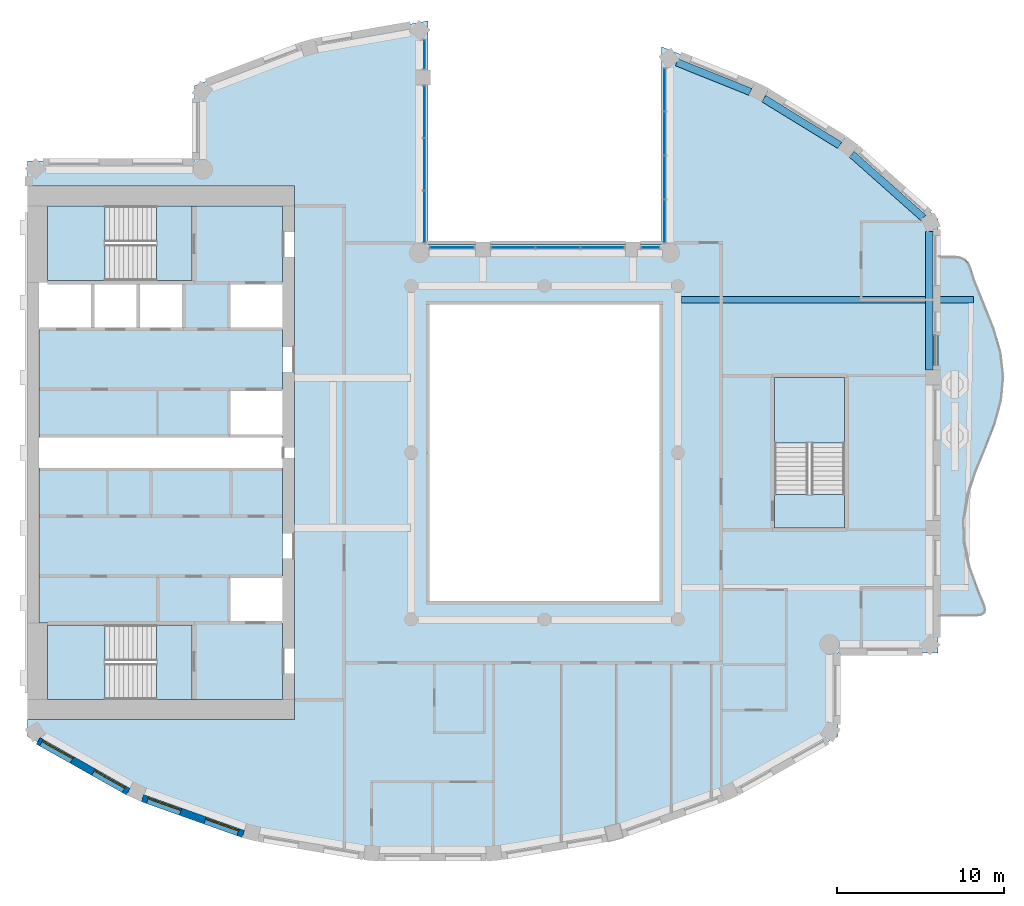
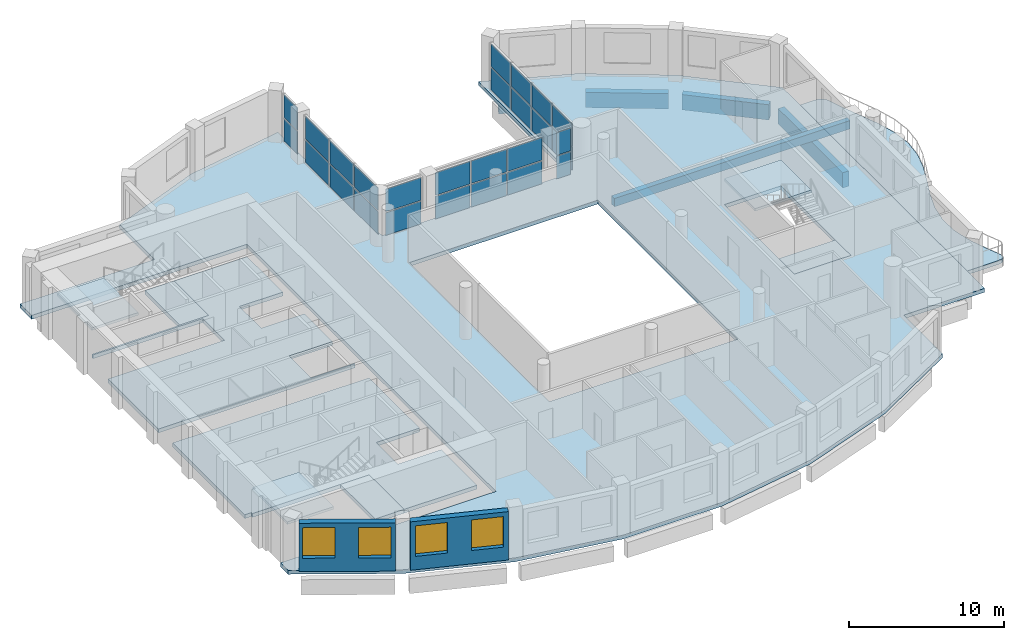
# One storey, part 3 of 14: 26 plates, 10 slabs, 5 beams, 4 windows, 2 walls, 4 openings, 9 elements without a shape of their own.
"""IFC4 building model written with IfcOpenShell, lengths in metres."""

from ifc_helpers import new_model, si_unit, direction, frame, frame_2d, origin, origin_2d, place, context, subcontext, project, spatial, polyline, rectangle, outline, extrude, material, layer, layer_set, material_profile, profile_set, type_object, element, fill, aggregate, save


model = new_model("IFC4")

# Units and contexts
model_context = context("Model", 3, precision=1e-05, world=origin(), true_north=direction((0.0, 1.0)))
body_context = subcontext(model_context, "Body", "Model", "MODEL_VIEW")
ifc_project = project(units=[si_unit("LENGTHUNIT", "METRE"), si_unit("AREAUNIT", "SQUARE_METRE"), si_unit("VOLUMEUNIT", "CUBIC_METRE"), si_unit("PLANEANGLEUNIT", "RADIAN"), si_unit("MASSUNIT", "GRAM", prefix="KILO")], contexts=[model_context])

# Site, building, storey
site_placement = place(None, origin())
site = spatial("IfcSite", under=ifc_project, at=site_placement, CompositionType="ELEMENT")
building_placement = place(site_placement, origin())
building = spatial("IfcBuilding", under=site, at=building_placement, Name="Cypress Arch Tower", CompositionType="ELEMENT")
storey_placement = place(building_placement, frame((0.0, 0.0, 325.39990234375)))
storey = spatial("IfcBuildingStorey", under=building, at=storey_placement, Name="L74", CompositionType="ELEMENT", Elevation=325.39990234375)

# Beams
ifc_material_1 = material(Name="Concrete C50/60", Category="concrete")
ifc_material_profile_1 = material_profile(ifc_material_1, rectangle(XDim=0.39990234375, YDim=0.64990234375, at=origin_2d()), Name="RC 400x650")
ifc_profile_set_1 = profile_set([ifc_material_profile_1], Name="Concrete C50/60")
beam_type_1 = type_object("IfcBeamType", Name="Cantilever beam RC 400x650 Concrete C50/60", PredefinedType="BEAM", material=ifc_profile_set_1)
beam_1_placement = place(storey_placement, frame((9.22509765625, 9.1826171875, -0.625), z_axis=(1.0, 0.0, 0.0), x_axis=(0.0, 1.0, 0.0)))
element("IfcBeam", 1, at=beam_1_placement, inside=storey, type_object=beam_type_1, Name="Cantilever beam L74 C17 2", PredefinedType="BEAM", context=body_context, shape_type="SweptSolid", body=[
    extrude(rectangle(XDim=0.39990234375, YDim=0.64990234375, at=origin_2d()), origin(), (0.0, 0.0, 1.0), 17.50244140625),
])
ifc_material_2 = material(Name="Concrete C50/60", Category="concrete")
ifc_material_profile_2 = material_profile(ifc_material_2, rectangle(XDim=0.449951171875, YDim=1.199951171875, at=origin_2d()), Name="RC 450x1200")
ifc_profile_set_2 = profile_set([ifc_material_profile_2], Name="Concrete C50/60")
beam_type_2 = type_object("IfcBeamType", Name="Spandrel beam RC 450x1200 Concrete C50/60", PredefinedType="SPANDREL", material=ifc_profile_set_2)
beam_2_placement = place(storey_placement, frame((24.074951171875, 4.949951171875, -1.5498046875), z_axis=(0.0, 1.0, 0.0), x_axis=(-1.0, 0.0, 0.0)))
element("IfcBeam", 2, at=beam_2_placement, inside=storey, type_object=beam_type_2, Name="Spandrel beam L74 BC17-2", PredefinedType="SPANDREL", context=body_context, shape_type="SweptSolid", body=[
    extrude(rectangle(XDim=0.449951171875, YDim=1.199951171875, at=origin_2d()), origin(), (0.0, 0.0, 1.0), 8.32080078125),
])
beam_3_placement = place(storey_placement, frame((23.706298828125, 14.091796875, -1.5498046875), z_axis=(-0.747555073917, 0.664199827959, 0.0), x_axis=(-0.664199827959, -0.747555073917, 0.0)))
element("IfcBeam", 3, at=beam_3_placement, inside=storey, type_object=beam_type_2, Name="Spandrel beam L74 BC18-0", PredefinedType="SPANDREL", context=body_context, shape_type="SweptSolid", body=[
    extrude(rectangle(XDim=0.449951171875, YDim=1.199951171875, at=origin_2d()), origin(), (0.0, 0.0, 1.0), 5.72900390625),
])
beam_4_placement = place(storey_placement, frame((18.700927734375, 18.43359375, -1.5498046875), z_axis=(-0.851880940975, 0.523735488966, 0.0), x_axis=(-0.523735488966, -0.851880940975, 0.0)))
element("IfcBeam", 4, at=beam_4_placement, inside=storey, type_object=beam_type_2, Name="Spandrel beam L74 BC19-0", PredefinedType="SPANDREL", context=body_context, shape_type="SweptSolid", body=[
    extrude(rectangle(XDim=0.449951171875, YDim=1.199951171875, at=origin_2d()), origin(), (0.0, 0.0, 1.0), 5.344970703125),
])
beam_5_placement = place(storey_placement, frame((13.343994140625, 21.6376953125, -1.5498046875), z_axis=(-0.927944947452, 0.372717284948, 0.0), x_axis=(-0.372717284948, -0.927944947452, 0.0)))
element("IfcBeam", 5, at=beam_5_placement, inside=storey, type_object=beam_type_2, Name="Spandrel beam L74 BC20-0", PredefinedType="SPANDREL", context=body_context, shape_type="SweptSolid", body=[
    extrude(rectangle(XDim=0.449951171875, YDim=1.199951171875, at=origin_2d()), origin(), (0.0, 0.0, 1.0), 4.758056640625),
])

# Slabs
ifc_material_3 = material(Name="Concrete C40/50", Category="concrete")
ifc_layer_1 = layer(ifc_material_3, 0.300048828125)
ifc_layer_set_1 = layer_set([ifc_layer_1], Name="Balcony slab BS300")
slab_type_1 = type_object("IfcSlabType", Name="Balcony slab BS300", PredefinedType="USERDEFINED", material=ifc_layer_set_1)
slab_1_placement = place(storey_placement, frame((0.0, 0.0, -0.2998046875)))
element("IfcSlab", 6, at=slab_1_placement, inside=storey, type_object=slab_type_1, Name="Balcony slab L74-C17", ObjectType="BALCONY SLAB", PredefinedType="USERDEFINED", context=body_context, shape_type="SweptSolid", body=[
    extrude(outline(polyline([(24.60009765625, -9.75), (26.912353515625, -9.75), (27.201171875, -9.709716796875), (27.369140625, -9.5888671875), (27.41650390625, -9.38720703125), (27.34326171875, -9.10498046875), (27.016357421875, -8.316650390625), (26.491943359375, -6.88330078125), (26.165283203125, -5.449951171875), (26.116943359375, -4.0166015625), (26.358642578125, -2.583251953125), (26.8310546875, -1.14990234375), (27.41845703125, 0.283447265625), (27.976806640625, 1.716552734375), (28.369140625, 3.14990234375), (28.49951171875, 4.583251953125), (28.335693359375, 6.0166015625), (27.91796875, 7.449951171875), (27.348876953125, 8.88330078125), (26.767578125, 10.316650390625), (26.519775390625, 11.10498046875), (26.388916015625, 11.38720703125), (26.19873046875, 11.5888671875), (25.949462890625, 11.709716796875), (25.640869140625, 11.75), (24.60009765625, 11.75), (24.60009765625, -9.75)])), origin(), (0.0, 0.0, 1.0), 0.2998046875),
])
ifc_material_4 = material(Name="Concrete C40/50", Category="concrete")
ifc_layer_2 = layer(ifc_material_4, 0.300048828125)
ifc_layer_set_2 = layer_set([ifc_layer_2], Name="Core floor CF300")
slab_type_2 = type_object("IfcSlabType", Name="Core floor CF300", PredefinedType="FLOOR", material=ifc_layer_set_2)
slab_2_placement = place(storey_placement, frame((0.0, 0.0, -0.2998046875)))
element("IfcSlab", 7, at=slab_2_placement, inside=storey, type_object=slab_type_2, Name="Core floor", PredefinedType="FLOOR", context=body_context, shape_type="SweptSolid", body=[
    extrude(outline(polyline([(-28.89990234375, -10.199951171875), (-29.300048828125, -10.199951171875), (-29.300048828125, -0.89990234375), (-28.89990234375, -0.89990234375), (-15.10009765625, -0.89990234375), (-14.699951171875, -0.89990234375), (-14.699951171875, -7.39990234375), (-15.10009765625, -7.39990234375), (-17.919921875, -7.39990234375), (-17.919921875, -10.199951171875), (-15.10009765625, -10.199951171875), (-14.699951171875, -10.199951171875), (-14.699951171875, -14.800048828125), (-15.10009765625, -14.800048828125), (-20.125, -14.800048828125), (-20.125, -10.324951171875), (-22.27490234375, -10.324951171875), (-28.800048828125, -10.324951171875), (-28.800048828125, -10.199951171875), (-28.89990234375, -10.199951171875)])), origin(), (0.0, 0.0, 1.0), 0.2998046875),
])
slab_3_placement = place(storey_placement, frame((0.0, 0.0, -0.2998046875)))
element("IfcSlab", 8, at=slab_3_placement, inside=storey, type_object=slab_type_2, Name="Core floor", PredefinedType="FLOOR", context=body_context, shape_type="SweptSolid", body=[
    extrude(outline(polyline([(-22.27490234375, -10.324951171875), (-22.27490234375, -14.800048828125), (-20.125, -14.800048828125), (-20.125, -10.324951171875), (-22.27490234375, -10.324951171875)])), origin(), (0.0, 0.0, 1.0), 0.2998046875),
])
slab_4_placement = place(storey_placement, frame((0.0, 0.0, -0.2998046875)))
element("IfcSlab", 9, at=slab_4_placement, inside=storey, type_object=slab_type_2, Name="Core floor", PredefinedType="FLOOR", context=body_context, shape_type="SweptSolid", body=[
    extrude(outline(polyline([(-20.125, 14.800048828125), (-22.27490234375, 14.800048828125), (-22.27490234375, 10.324951171875), (-20.125, 10.324951171875), (-20.125, 14.800048828125)])), origin(), (0.0, 0.0, 1.0), 0.2998046875),
])
slab_5_placement = place(storey_placement, frame((0.0, 0.0, -0.2998046875)))
element("IfcSlab", 10, at=slab_5_placement, inside=storey, type_object=slab_type_2, Name="Stair floor landing", PredefinedType="FLOOR", context=body_context, shape_type="SweptSolid", body=[
    extrude(outline(polyline([(19.0, -4.5), (19.0, -2.5), (14.800048828125, -2.5), (14.800048828125, -4.5), (19.0, -4.5)])), origin(), (0.0, 0.0, 1.0), 0.2998046875),
])
slab_6_placement = place(storey_placement, frame((0.0, 0.0, -0.2998046875)))
element("IfcSlab", 11, at=slab_6_placement, inside=storey, type_object=slab_type_2, Name="Core floor", PredefinedType="FLOOR", context=body_context, shape_type="SweptSolid", body=[
    extrude(outline(polyline([(-20.639892578125, 10.199951171875), (-23.360107421875, 10.199951171875), (-26.080078125, 10.199951171875), (-28.800048828125, 10.199951171875), (-28.800048828125, 10.324951171875), (-22.27490234375, 10.324951171875), (-20.125, 10.324951171875), (-20.125, 14.800048828125), (-15.10009765625, 14.800048828125), (-14.699951171875, 14.800048828125), (-14.699951171875, 10.199951171875), (-15.10009765625, 10.199951171875), (-17.919921875, 10.199951171875), (-17.919921875, 7.39990234375), (-15.10009765625, 7.39990234375), (-14.699951171875, 7.39990234375), (-14.699951171875, 3.800048828125), (-15.10009765625, 3.800048828125), (-17.919921875, 3.800048828125), (-17.919921875, 1.5), (-17.919921875, 1.0), (-17.5, 1.0), (-15.10009765625, 1.0), (-14.699951171875, 1.0), (-14.699951171875, 0.89990234375), (-15.10009765625, 0.89990234375), (-17.5, 0.89990234375), (-18.300048828125, 0.89990234375), (-28.89990234375, 0.89990234375), (-29.300048828125, 0.89990234375), (-29.300048828125, 1.5), (-29.300048828125, 7.39990234375), (-28.89990234375, 7.39990234375), (-26.080078125, 7.39990234375), (-23.360107421875, 7.39990234375), (-20.639892578125, 7.39990234375), (-20.639892578125, 10.199951171875)])), origin(), (0.0, 0.0, 1.0), 0.2998046875),
])

# Curtain wall, plates
ifc_material_5 = material(Name="Anodised aluminium, bronze finish, clear laminated double glazing", Category="aluminium")
curtain_wall_type = type_object("IfcCurtainWallType", Name="Curtain wall CW7 slot glazing", PredefinedType="NOTDEFINED", material=ifc_material_5)
curtain_wall_1_placement = place(storey_placement, origin())
curtain_wall_1 = element("IfcCurtainWall", 12, at=curtain_wall_1_placement, inside=storey, type_object=curtain_wall_type, Name="Curtain wall L74 slot C00.0", PredefinedType="NOTDEFINED")
ifc_material_6 = material(Name="Clear laminated double glazing", Category="glass")
ifc_layer_3 = layer(ifc_material_6, 0.0439453125)
ifc_layer_set_3 = layer_set([ifc_layer_3], Name="Glass panel CW7 44")
plate_type = type_object("IfcPlateType", Name="Glass panel CW7 44", PredefinedType="CURTAIN_PANEL", material=ifc_layer_set_3)
plate_1_placement = place(storey_placement, frame((8.199951171875, 21.76220703125, 0.085205078125), z_axis=(0.0, 0.0, 1.0), x_axis=(0.0, -1.0, 0.0)))
plate_1 = element("IfcPlate", 13, at=plate_1_placement, type_object=plate_type, Name="CW7 panel 1.1", PredefinedType="CURTAIN_PANEL", context=body_context, shape_type="SweptSolid", body=[
    extrude(rectangle(XDim=2.510986328125, YDim=0.0439453125, at=origin_2d()), origin(), (0.0, 0.0, 1.0), 1.7724609375),
])
plate_2_placement = place(storey_placement, frame((8.199951171875, 21.76220703125, 1.942626953125), z_axis=(0.0, 0.0, 1.0), x_axis=(0.0, -1.0, 0.0)))
plate_2 = element("IfcPlate", 14, at=plate_2_placement, type_object=plate_type, Name="CW7 panel 1.2", PredefinedType="CURTAIN_PANEL", context=body_context, shape_type="SweptSolid", body=[
    extrude(rectangle(XDim=2.510986328125, YDim=0.0439453125, at=origin_2d()), origin(), (0.0, 0.0, 1.0), 1.7724609375),
])
plate_3_placement = place(storey_placement, frame((8.199951171875, 19.144775390625, 0.085205078125), z_axis=(0.0, 0.0, 1.0), x_axis=(0.0, -1.0, 0.0)))
plate_3 = element("IfcPlate", 15, at=plate_3_placement, type_object=plate_type, Name="CW7 panel 2.1", PredefinedType="CURTAIN_PANEL", context=body_context, shape_type="SweptSolid", body=[
    extrude(rectangle(XDim=2.553466796875, YDim=0.0439453125, at=origin_2d()), origin(), (0.0, 0.0, 1.0), 1.7724609375),
])
plate_4_placement = place(storey_placement, frame((8.199951171875, 19.144775390625, 1.942626953125), z_axis=(0.0, 0.0, 1.0), x_axis=(0.0, -1.0, 0.0)))
plate_4 = element("IfcPlate", 16, at=plate_4_placement, type_object=plate_type, Name="CW7 panel 2.2", PredefinedType="CURTAIN_PANEL", context=body_context, shape_type="SweptSolid", body=[
    extrude(rectangle(XDim=2.553466796875, YDim=0.0439453125, at=origin_2d()), origin(), (0.0, 0.0, 1.0), 1.7724609375),
])
plate_5_placement = place(storey_placement, frame((8.199951171875, 16.50634765625, 0.085205078125), z_axis=(0.0, 0.0, 1.0), x_axis=(0.0, -1.0, 0.0)))
plate_5 = element("IfcPlate", 17, at=plate_5_placement, type_object=plate_type, Name="CW7 panel 3.1", PredefinedType="CURTAIN_PANEL", context=body_context, shape_type="SweptSolid", body=[
    extrude(rectangle(XDim=2.553466796875, YDim=0.0439453125, at=origin_2d()), origin(), (0.0, 0.0, 1.0), 1.7724609375),
])
plate_6_placement = place(storey_placement, frame((8.199951171875, 16.50634765625, 1.942626953125), z_axis=(0.0, 0.0, 1.0), x_axis=(0.0, -1.0, 0.0)))
plate_6 = element("IfcPlate", 18, at=plate_6_placement, type_object=plate_type, Name="CW7 panel 3.2", PredefinedType="CURTAIN_PANEL", context=body_context, shape_type="SweptSolid", body=[
    extrude(rectangle(XDim=2.553466796875, YDim=0.0439453125, at=origin_2d()), origin(), (0.0, 0.0, 1.0), 1.7724609375),
])
plate_7_placement = place(storey_placement, frame((8.199951171875, 13.888916015625, 0.085205078125), z_axis=(0.0, 0.0, 1.0), x_axis=(0.0, -1.0, 0.0)))
plate_7 = element("IfcPlate", 19, at=plate_7_placement, type_object=plate_type, Name="CW7 panel 4.1", PredefinedType="CURTAIN_PANEL", context=body_context, shape_type="SweptSolid", body=[
    extrude(rectangle(XDim=2.510986328125, YDim=0.0439453125, at=origin_2d()), origin(), (0.0, 0.0, 1.0), 1.7724609375),
])
plate_8_placement = place(storey_placement, frame((8.199951171875, 13.888916015625, 1.942626953125), z_axis=(0.0, 0.0, 1.0), x_axis=(0.0, -1.0, 0.0)))
plate_8 = element("IfcPlate", 20, at=plate_8_placement, type_object=plate_type, Name="CW7 panel 4.2", PredefinedType="CURTAIN_PANEL", context=body_context, shape_type="SweptSolid", body=[
    extrude(rectangle(XDim=2.510986328125, YDim=0.0439453125, at=origin_2d()), origin(), (0.0, 0.0, 1.0), 1.7724609375),
])
aggregate(curtain_wall_1, [plate_1, plate_2, plate_3, plate_4, plate_5, plate_6, plate_7, plate_8])

curtain_wall_2_placement = place(storey_placement, origin())
curtain_wall_2 = element("IfcCurtainWall", 21, at=curtain_wall_2_placement, inside=storey, type_object=curtain_wall_type, Name="Curtain wall L74 slot C01.0", PredefinedType="NOTDEFINED")
plate_9_placement = place(storey_placement, frame((7.350830078125, 12.300048828125, 0.085205078125), z_axis=(0.0, 0.0, 1.0), x_axis=(-1.0, 0.0, 0.0)))
plate_9 = element("IfcPlate", 22, at=plate_9_placement, type_object=plate_type, Name="CW7 panel 1.1", PredefinedType="CURTAIN_PANEL", context=body_context, shape_type="SweptSolid", body=[
    extrude(rectangle(XDim=1.031494140625, YDim=0.0439453125, at=origin_2d()), origin(), (0.0, 0.0, 1.0), 1.7724609375),
])
plate_10_placement = place(storey_placement, frame((7.350830078125, 12.300048828125, 1.942626953125), z_axis=(0.0, 0.0, 1.0), x_axis=(-1.0, 0.0, 0.0)))
plate_10 = element("IfcPlate", 23, at=plate_10_placement, type_object=plate_type, Name="CW7 panel 1.2", PredefinedType="CURTAIN_PANEL", context=body_context, shape_type="SweptSolid", body=[
    extrude(rectangle(XDim=1.031494140625, YDim=0.0439453125, at=origin_2d()), origin(), (0.0, 0.0, 1.0), 1.7724609375),
])
aggregate(curtain_wall_2, [plate_9, plate_10])

curtain_wall_3_placement = place(storey_placement, origin())
curtain_wall_3 = element("IfcCurtainWall", 24, at=curtain_wall_3_placement, inside=storey, type_object=curtain_wall_type, Name="Curtain wall L74 slot C01.1", PredefinedType="NOTDEFINED")
plate_11_placement = place(storey_placement, frame((4.478759765625, 12.300048828125, 0.085205078125), z_axis=(0.0, 0.0, 1.0), x_axis=(-1.0, 0.0, 0.0)))
plate_11 = element("IfcPlate", 25, at=plate_11_placement, type_object=plate_type, Name="CW7 panel 1.1", PredefinedType="CURTAIN_PANEL", context=body_context, shape_type="SweptSolid", body=[
    extrude(rectangle(XDim=2.572509765625, YDim=0.0439453125, at=origin_2d()), origin(), (0.0, 0.0, 1.0), 1.7724609375),
])
plate_12_placement = place(storey_placement, frame((4.478759765625, 12.300048828125, 1.942626953125), z_axis=(0.0, 0.0, 1.0), x_axis=(-1.0, 0.0, 0.0)))
plate_12 = element("IfcPlate", 26, at=plate_12_placement, type_object=plate_type, Name="CW7 panel 1.2", PredefinedType="CURTAIN_PANEL", context=body_context, shape_type="SweptSolid", body=[
    extrude(rectangle(XDim=2.572509765625, YDim=0.0439453125, at=origin_2d()), origin(), (0.0, 0.0, 1.0), 1.7724609375),
])
plate_13_placement = place(storey_placement, frame((1.800048828125, 12.300048828125, 0.085205078125), z_axis=(0.0, 0.0, 1.0), x_axis=(-1.0, 0.0, 0.0)))
plate_13 = element("IfcPlate", 27, at=plate_13_placement, type_object=plate_type, Name="CW7 panel 2.1", PredefinedType="CURTAIN_PANEL", context=body_context, shape_type="SweptSolid", body=[
    extrude(rectangle(XDim=2.614990234375, YDim=0.0439453125, at=origin_2d()), origin(), (0.0, 0.0, 1.0), 1.7724609375),
])
plate_14_placement = place(storey_placement, frame((1.800048828125, 12.300048828125, 1.942626953125), z_axis=(0.0, 0.0, 1.0), x_axis=(-1.0, 0.0, 0.0)))
plate_14 = element("IfcPlate", 28, at=plate_14_placement, type_object=plate_type, Name="CW7 panel 2.2", PredefinedType="CURTAIN_PANEL", context=body_context, shape_type="SweptSolid", body=[
    extrude(rectangle(XDim=2.614990234375, YDim=0.0439453125, at=origin_2d()), origin(), (0.0, 0.0, 1.0), 1.7724609375),
])
plate_15_placement = place(storey_placement, frame((-0.878662109375, 12.300048828125, 0.085205078125), z_axis=(0.0, 0.0, 1.0), x_axis=(-1.0, 0.0, 0.0)))
plate_15 = element("IfcPlate", 29, at=plate_15_placement, type_object=plate_type, Name="CW7 panel 3.1", PredefinedType="CURTAIN_PANEL", context=body_context, shape_type="SweptSolid", body=[
    extrude(rectangle(XDim=2.572509765625, YDim=0.0439453125, at=origin_2d()), origin(), (0.0, 0.0, 1.0), 1.7724609375),
])
plate_16_placement = place(storey_placement, frame((-0.878662109375, 12.300048828125, 1.942626953125), z_axis=(0.0, 0.0, 1.0), x_axis=(-1.0, 0.0, 0.0)))
plate_16 = element("IfcPlate", 30, at=plate_16_placement, type_object=plate_type, Name="CW7 panel 3.2", PredefinedType="CURTAIN_PANEL", context=body_context, shape_type="SweptSolid", body=[
    extrude(rectangle(XDim=2.572509765625, YDim=0.0439453125, at=origin_2d()), origin(), (0.0, 0.0, 1.0), 1.7724609375),
])
aggregate(curtain_wall_3, [plate_11, plate_12, plate_13, plate_14, plate_15, plate_16])

curtain_wall_4_placement = place(storey_placement, origin())
curtain_wall_4 = element("IfcCurtainWall", 31, at=curtain_wall_4_placement, inside=storey, type_object=curtain_wall_type, Name="Curtain wall L74 slot C01.2", PredefinedType="NOTDEFINED")
plate_17_placement = place(storey_placement, frame((-4.55078125, 12.300048828125, 0.085205078125), z_axis=(0.0, 0.0, 1.0), x_axis=(-1.0, 0.0, 0.0)))
plate_17 = element("IfcPlate", 32, at=plate_17_placement, type_object=plate_type, Name="CW7 panel 1.1", PredefinedType="CURTAIN_PANEL", context=body_context, shape_type="SweptSolid", body=[
    extrude(rectangle(XDim=2.631591796875, YDim=0.0439453125, at=origin_2d()), origin(), (0.0, 0.0, 1.0), 1.7724609375),
])
plate_18_placement = place(storey_placement, frame((-4.55078125, 12.300048828125, 1.942626953125), z_axis=(0.0, 0.0, 1.0), x_axis=(-1.0, 0.0, 0.0)))
plate_18 = element("IfcPlate", 33, at=plate_18_placement, type_object=plate_type, Name="CW7 panel 1.2", PredefinedType="CURTAIN_PANEL", context=body_context, shape_type="SweptSolid", body=[
    extrude(rectangle(XDim=2.631591796875, YDim=0.0439453125, at=origin_2d()), origin(), (0.0, 0.0, 1.0), 1.7724609375),
])
aggregate(curtain_wall_4, [plate_17, plate_18])

curtain_wall_5_placement = place(storey_placement, origin())
curtain_wall_5 = element("IfcCurtainWall", 34, at=curtain_wall_5_placement, inside=storey, type_object=curtain_wall_type, Name="Curtain wall L74 slot C02.0", PredefinedType="NOTDEFINED")
plate_19_placement = place(storey_placement, frame((-6.199951171875, 14.1533203125, 0.085205078125), z_axis=(0.0, 0.0, 1.0), x_axis=(0.0, 1.0, 0.0)))
plate_19 = element("IfcPlate", 35, at=plate_19_placement, type_object=plate_type, Name="CW7 panel 1.1", PredefinedType="CURTAIN_PANEL", context=body_context, shape_type="SweptSolid", body=[
    extrude(rectangle(XDim=3.039794921875, YDim=0.0439453125, at=origin_2d()), origin(), (0.0, 0.0, 1.0), 1.7724609375),
])
plate_20_placement = place(storey_placement, frame((-6.199951171875, 14.1533203125, 1.942626953125), z_axis=(0.0, 0.0, 1.0), x_axis=(0.0, 1.0, 0.0)))
plate_20 = element("IfcPlate", 36, at=plate_20_placement, type_object=plate_type, Name="CW7 panel 1.2", PredefinedType="CURTAIN_PANEL", context=body_context, shape_type="SweptSolid", body=[
    extrude(rectangle(XDim=3.039794921875, YDim=0.0439453125, at=origin_2d()), origin(), (0.0, 0.0, 1.0), 1.7724609375),
])
plate_21_placement = place(storey_placement, frame((-6.199951171875, 17.29931640625, 0.085205078125), z_axis=(0.0, 0.0, 1.0), x_axis=(0.0, 1.0, 0.0)))
plate_21 = element("IfcPlate", 37, at=plate_21_placement, type_object=plate_type, Name="CW7 panel 2.1", PredefinedType="CURTAIN_PANEL", context=body_context, shape_type="SweptSolid", body=[
    extrude(rectangle(XDim=3.082275390625, YDim=0.0439453125, at=origin_2d()), origin(), (0.0, 0.0, 1.0), 1.7724609375),
])
plate_22_placement = place(storey_placement, frame((-6.199951171875, 17.29931640625, 1.942626953125), z_axis=(0.0, 0.0, 1.0), x_axis=(0.0, 1.0, 0.0)))
plate_22 = element("IfcPlate", 38, at=plate_22_placement, type_object=plate_type, Name="CW7 panel 2.2", PredefinedType="CURTAIN_PANEL", context=body_context, shape_type="SweptSolid", body=[
    extrude(rectangle(XDim=3.082275390625, YDim=0.0439453125, at=origin_2d()), origin(), (0.0, 0.0, 1.0), 1.7724609375),
])
plate_23_placement = place(storey_placement, frame((-6.199951171875, 20.445068359375, 0.085205078125), z_axis=(0.0, 0.0, 1.0), x_axis=(0.0, 1.0, 0.0)))
plate_23 = element("IfcPlate", 39, at=plate_23_placement, type_object=plate_type, Name="CW7 panel 3.1", PredefinedType="CURTAIN_PANEL", context=body_context, shape_type="SweptSolid", body=[
    extrude(rectangle(XDim=3.039794921875, YDim=0.0439453125, at=origin_2d()), origin(), (0.0, 0.0, 1.0), 1.7724609375),
])
plate_24_placement = place(storey_placement, frame((-6.199951171875, 20.445068359375, 1.942626953125), z_axis=(0.0, 0.0, 1.0), x_axis=(0.0, 1.0, 0.0)))
plate_24 = element("IfcPlate", 40, at=plate_24_placement, type_object=plate_type, Name="CW7 panel 3.2", PredefinedType="CURTAIN_PANEL", context=body_context, shape_type="SweptSolid", body=[
    extrude(rectangle(XDim=3.039794921875, YDim=0.0439453125, at=origin_2d()), origin(), (0.0, 0.0, 1.0), 1.7724609375),
])
aggregate(curtain_wall_5, [plate_19, plate_20, plate_21, plate_22, plate_23, plate_24])

curtain_wall_6_placement = place(storey_placement, origin())
curtain_wall_6 = element("IfcCurtainWall", 41, at=curtain_wall_6_placement, inside=storey, type_object=curtain_wall_type, Name="Curtain wall L74 slot C02.1", PredefinedType="NOTDEFINED")
plate_25_placement = place(storey_placement, frame((-6.199951171875, 23.89111328125, 0.085205078125), z_axis=(0.0, 0.0, 1.0), x_axis=(0.0, 1.0, 0.0)))
plate_25 = element("IfcPlate", 42, at=plate_25_placement, type_object=plate_type, Name="CW7 panel 1.1", PredefinedType="CURTAIN_PANEL", context=body_context, shape_type="SweptSolid", body=[
    extrude(rectangle(XDim=1.71240234375, YDim=0.0439453125, at=origin_2d()), origin(), (0.0, 0.0, 1.0), 1.7724609375),
])
plate_26_placement = place(storey_placement, frame((-6.199951171875, 23.89111328125, 1.942626953125), z_axis=(0.0, 0.0, 1.0), x_axis=(0.0, 1.0, 0.0)))
plate_26 = element("IfcPlate", 43, at=plate_26_placement, type_object=plate_type, Name="CW7 panel 1.2", PredefinedType="CURTAIN_PANEL", context=body_context, shape_type="SweptSolid", body=[
    extrude(rectangle(XDim=1.71240234375, YDim=0.0439453125, at=origin_2d()), origin(), (0.0, 0.0, 1.0), 1.7724609375),
])
aggregate(curtain_wall_6, [plate_25, plate_26])

# Slab
ifc_material_7 = material(Name="Concrete C40/50", Category="concrete")
ifc_layer_4 = layer(ifc_material_7, 0.300048828125)
ifc_layer_set_4 = layer_set([ifc_layer_4], Name="PT flat slab 300 Concrete C40/50")
slab_type_3 = type_object("IfcSlabType", Name="PT flat slab 300 Concrete C40/50", PredefinedType="FLOOR", material=ifc_layer_set_4)
slab_7_placement = place(storey_placement, frame((0.0, 0.0, -0.2998046875)))
element("IfcSlab", 44, at=slab_7_placement, inside=storey, type_object=slab_type_3, Name="Floor slab L74", PredefinedType="FLOOR", context=body_context, shape_type="SweptSolid", body=[
    extrude(outline(polyline([(-30.0, 17.5), (-20.0, 17.5), (-20.0, 22.0), (-13.199951171875, 24.6201171875), (-6.0, 25.889892578125), (-6.0, 12.5), (8.0, 12.5), (8.0, 24.35009765625), (14.0, 21.93994140625), (19.39990234375, 18.6201171875), (24.60009765625, 14.0), (24.60009765625, -12.0), (18.60009765625, -12.0), (18.60009765625, -17.0), (12.179931640625, -20.6201171875), (5.239990234375, -23.090087890625), (-2.02001953125, -24.340087890625), (-9.3798828125, -24.340087890625), (-16.639892578125, -23.090087890625), (-23.580078125, -20.6201171875), (-30.0, -17.0), (-30.0, -16.0), (-14.0, -16.0), (-14.0, 16.0), (-30.0, 16.0), (-30.0, 17.5)]), holes=[polyline([(-6.0, -9.0), (8.0, -9.0), (8.0, 9.0), (-6.0, 9.0), (-6.0, -9.0)]), polyline([(14.800048828125, -4.5), (19.0, -4.5), (19.0, 4.5), (14.800048828125, 4.5), (14.800048828125, -4.5)])]), origin(), (0.0, 0.0, 1.0), 0.2998046875),
])

# Stair, slab
ifc_material_8 = material(Name="Concrete C40/50", Category="concrete")
stair_type_1 = type_object("IfcStairType", Name="Exit stair ES1708-215", PredefinedType="HALF_TURN_STAIR", material=ifc_material_8)
stair_1_placement = place(storey_placement, origin())
stair_1 = element("IfcStair", 45, at=stair_1_placement, inside=storey, type_object=stair_type_1, Name="L74 Exit stair A", PredefinedType="HALF_TURN_STAIR")
ifc_material_9 = material(Name="Concrete C40/50", Category="concrete")
ifc_layer_5 = layer(ifc_material_9, 0.199951171875)
ifc_layer_set_5 = layer_set([ifc_layer_5], Name="Stair landing SL200")
slab_type_4 = type_object("IfcSlabType", Name="Stair landing SL200", PredefinedType="LANDING", material=ifc_layer_set_5)
slab_8_placement = place(storey_placement, frame((0.0, 0.0, 1.85009765625)))
slab_8 = element("IfcSlab", 46, at=slab_8_placement, type_object=slab_type_4, Name="A landing 1", PredefinedType="LANDING", context=body_context, shape_type="SweptSolid", body=[
    extrude(outline(polyline([(-25.35498046875, -10.324951171875), (-28.800048828125, -10.324951171875), (-28.800048828125, -14.800048828125), (-25.35498046875, -14.800048828125), (-25.35498046875, -10.324951171875)])), origin(), (0.0, 0.0, 1.0), 0.199951171875),
])
aggregate(stair_1, [slab_8])

stair_2_placement = place(storey_placement, origin())
stair_2 = element("IfcStair", 47, at=stair_2_placement, inside=storey, type_object=stair_type_1, Name="L74 Exit stair B", PredefinedType="HALF_TURN_STAIR")
slab_9_placement = place(storey_placement, frame((0.0, 0.0, 1.85009765625)))
slab_9 = element("IfcSlab", 48, at=slab_9_placement, type_object=slab_type_4, Name="B landing 1", PredefinedType="LANDING", context=body_context, shape_type="SweptSolid", body=[
    extrude(outline(polyline([(-25.35498046875, 14.800048828125), (-28.800048828125, 14.800048828125), (-28.800048828125, 10.324951171875), (-25.35498046875, 10.324951171875), (-25.35498046875, 14.800048828125)])), origin(), (0.0, 0.0, 1.0), 0.199951171875),
])
aggregate(stair_2, [slab_9])

ifc_material_10 = material(Name="Concrete C40/50", Category="concrete")
stair_type_2 = type_object("IfcStairType", Name="Exit stair ES1708-200", PredefinedType="HALF_TURN_STAIR", material=ifc_material_10)
stair_3_placement = place(storey_placement, origin())
stair_3 = element("IfcStair", 49, at=stair_3_placement, inside=storey, type_object=stair_type_2, Name="L74 Exit stair C", PredefinedType="HALF_TURN_STAIR")
slab_10_placement = place(storey_placement, frame((0.0, 0.0, 1.85009765625)))
slab_10 = element("IfcSlab", 50, at=slab_10_placement, type_object=slab_type_4, Name="C landing 1", PredefinedType="LANDING", context=body_context, shape_type="SweptSolid", body=[
    extrude(outline(polyline([(19.0, 0.580078125), (19.0, 4.5), (14.800048828125, 4.5), (14.800048828125, 0.580078125), (19.0, 0.580078125)])), origin(), (0.0, 0.0, 1.0), 0.199951171875),
])
aggregate(stair_3, [slab_10])

# Wall, openings, windows
ifc_material_11 = material(Name="Brick (red buff blend)", Category="masonry")
ifc_layer_6 = layer(ifc_material_11, 0.449951171875)
ifc_layer_set_6 = layer_set([ifc_layer_6], Name="Brick pier and spandrel wall BW450")
wall_type = type_object("IfcWallType", Name="Brick pier and spandrel wall BW450", PredefinedType="SOLIDWALL", material=ifc_layer_set_6)
wall_1_placement = place(storey_placement, frame((-29.3564453125, -17.276611328125, 0.0), z_axis=(0.0, 0.0, 1.0), x_axis=(0.871065783524, -0.491166367714, 0.0)))
wall_1 = element("IfcWall", 51, at=wall_1_placement, inside=storey, type_object=wall_type, Name="Brick wall L74 C08.0", PredefinedType="SOLIDWALL", context=body_context, shape_type="SweptSolid", body=[
    extrude(rectangle(XDim=6.1962890625, YDim=0.449951171875, at=frame_2d((3.09814453125, 0.0))), origin(), (0.0, 0.0, 1.0), 3.800048828125),
])
opening_1_placement = place(wall_1_placement, frame((0.22119140625, 0.0, 1.050048828125)))
opening_1 = element("IfcOpeningElement", 52, at=opening_1_placement, cuts=wall_1, Name="Opening W210O", PredefinedType="OPENING", context=body_context, shape_type="SweptSolid", body=[
    extrude(rectangle(XDim=2.10009765625, YDim=2.39990234375, at=frame_2d((1.050048828125, 1.199951171875))), frame((0.0, 0.23486328125, 0.0), z_axis=(0.0, -1.0, 0.0), x_axis=(1.0, 0.0, 0.0)), (0.0, 0.0, 1.0), 0.469970703125),
])
opening_2_placement = place(wall_1_placement, frame((3.8056640625, 0.0, 1.050048828125)))
opening_2 = element("IfcOpeningElement", 53, at=opening_2_placement, cuts=wall_1, Name="Opening W210O", PredefinedType="OPENING", context=body_context, shape_type="SweptSolid", body=[
    extrude(rectangle(XDim=2.10009765625, YDim=2.39990234375, at=frame_2d((1.050048828125, 1.199951171875))), frame((0.0, 0.23486328125, 0.0), z_axis=(0.0, -1.0, 0.0), x_axis=(1.0, 0.0, 0.0)), (0.0, 0.0, 1.0), 0.469970703125),
])
ifc_material_12 = material(Name="Anodised aluminium, bronze finish, clear low-emissivity double glazing", Category="aluminium")
window_type = type_object("IfcWindowType", Name="Window Office 2100x2400", PartitioningType="SINGLE_PANEL", PredefinedType="WINDOW", material=ifc_material_12)
window_1_placement = place(opening_1_placement, origin())
window_1 = element("IfcWindow", 54, at=window_1_placement, inside=storey, type_object=window_type, Name="Window L74 C08.0.1", OverallHeight=2.39990234375, OverallWidth=2.10009765625, PartitioningType="SINGLE_PANEL", PredefinedType="WINDOW", context=body_context, shape_type="SweptSolid", body=[
    extrude(rectangle(XDim=2.10009765625, YDim=2.39990234375, at=frame_2d((1.050048828125, 1.199951171875))), frame((0.0, 0.135009765625, 0.0), z_axis=(0.0, -1.0, 0.0), x_axis=(1.0, 0.0, 0.0)), (0.0, 0.0, 1.0), 0.06005859375),
])
fill(opening_1, window_1)
window_2_placement = place(opening_2_placement, origin())
window_2 = element("IfcWindow", 55, at=window_2_placement, inside=storey, type_object=window_type, Name="Window L74 C08.0.2", OverallHeight=2.39990234375, OverallWidth=2.10009765625, PartitioningType="SINGLE_PANEL", PredefinedType="WINDOW", context=body_context, shape_type="SweptSolid", body=[
    extrude(rectangle(XDim=2.10009765625, YDim=2.39990234375, at=frame_2d((1.050048828125, 1.199951171875))), frame((0.0, 0.135009765625, 0.0), z_axis=(0.0, -1.0, 0.0), x_axis=(1.0, 0.0, 0.0)), (0.0, 0.0, 1.0), 0.06005859375),
])
fill(opening_2, window_2)

wall_2_placement = place(storey_placement, frame((-23.10498046875, -20.70947265625, 0.0), z_axis=(0.0, 0.0, 1.0), x_axis=(0.942104058931, -0.335320655711, 0.0)))
wall_2 = element("IfcWall", 56, at=wall_2_placement, inside=storey, type_object=wall_type, Name="Brick wall L74 C09.0", PredefinedType="SOLIDWALL", context=body_context, shape_type="SweptSolid", body=[
    extrude(rectangle(XDim=6.411376953125, YDim=0.449951171875, at=frame_2d((3.20556640625, 0.0))), origin(), (0.0, 0.0, 1.0), 3.800048828125),
])
opening_3_placement = place(wall_2_placement, frame((0.3271484375, 0.0, 1.050048828125)))
opening_3 = element("IfcOpeningElement", 57, at=opening_3_placement, cuts=wall_2, Name="Opening W210O", PredefinedType="OPENING", context=body_context, shape_type="SweptSolid", body=[
    extrude(rectangle(XDim=2.10009765625, YDim=2.39990234375, at=frame_2d((1.050048828125, 1.199951171875))), frame((0.0, 0.23486328125, 0.0), z_axis=(0.0, -1.0, 0.0), x_axis=(1.0, 0.0, 0.0)), (0.0, 0.0, 1.0), 0.469970703125),
])
opening_4_placement = place(wall_2_placement, frame((3.984619140625, 0.0, 1.050048828125)))
opening_4 = element("IfcOpeningElement", 58, at=opening_4_placement, cuts=wall_2, Name="Opening W210O", PredefinedType="OPENING", context=body_context, shape_type="SweptSolid", body=[
    extrude(rectangle(XDim=2.10009765625, YDim=2.39990234375, at=frame_2d((1.050048828125, 1.199951171875))), frame((0.0, 0.23486328125, 0.0), z_axis=(0.0, -1.0, 0.0), x_axis=(1.0, 0.0, 0.0)), (0.0, 0.0, 1.0), 0.469970703125),
])
window_3_placement = place(opening_3_placement, origin())
window_3 = element("IfcWindow", 59, at=window_3_placement, inside=storey, type_object=window_type, Name="Window L74 C09.0.1", OverallHeight=2.39990234375, OverallWidth=2.10009765625, PartitioningType="SINGLE_PANEL", PredefinedType="WINDOW", context=body_context, shape_type="SweptSolid", body=[
    extrude(rectangle(XDim=2.10009765625, YDim=2.39990234375, at=frame_2d((1.050048828125, 1.199951171875))), frame((0.0, 0.135009765625, 0.0), z_axis=(0.0, -1.0, 0.0), x_axis=(1.0, 0.0, 0.0)), (0.0, 0.0, 1.0), 0.06005859375),
])
fill(opening_3, window_3)
window_4_placement = place(opening_4_placement, origin())
window_4 = element("IfcWindow", 60, at=window_4_placement, inside=storey, type_object=window_type, Name="Window L74 C09.0.2", OverallHeight=2.39990234375, OverallWidth=2.10009765625, PartitioningType="SINGLE_PANEL", PredefinedType="WINDOW", context=body_context, shape_type="SweptSolid", body=[
    extrude(rectangle(XDim=2.10009765625, YDim=2.39990234375, at=frame_2d((1.050048828125, 1.199951171875))), frame((0.0, 0.135009765625, 0.0), z_axis=(0.0, -1.0, 0.0), x_axis=(1.0, 0.0, 0.0)), (0.0, 0.0, 1.0), 0.06005859375),
])
fill(opening_4, window_4)

save(model, "model.ifc")
